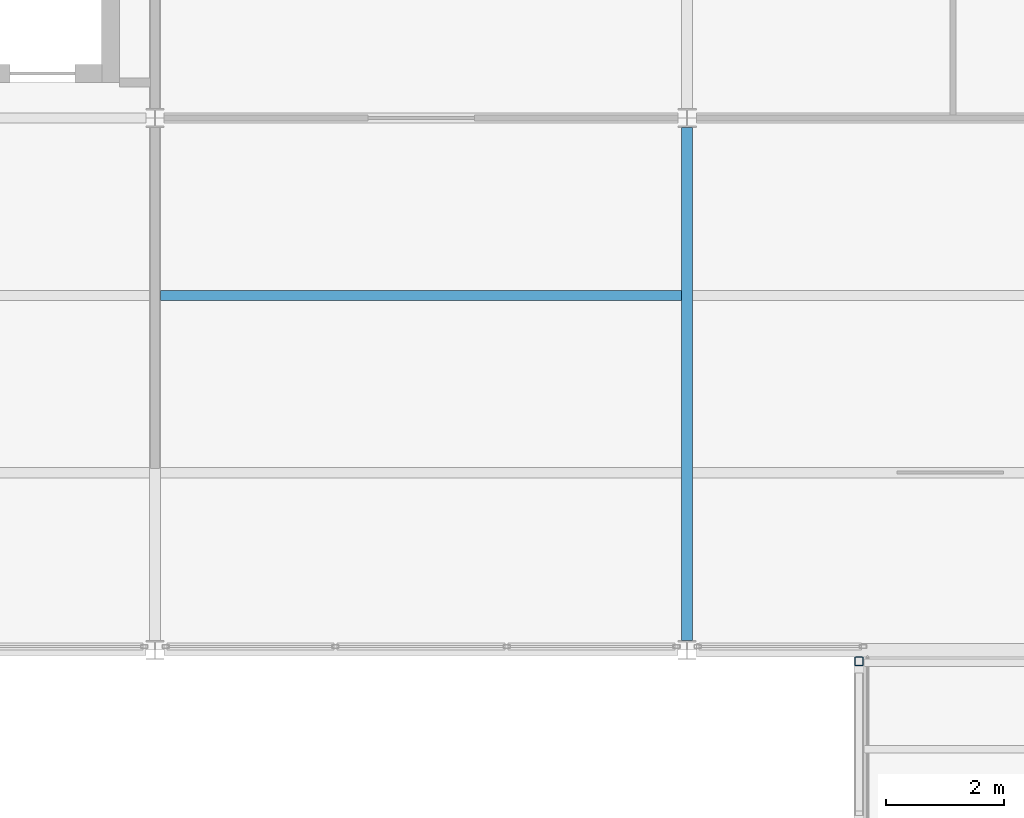
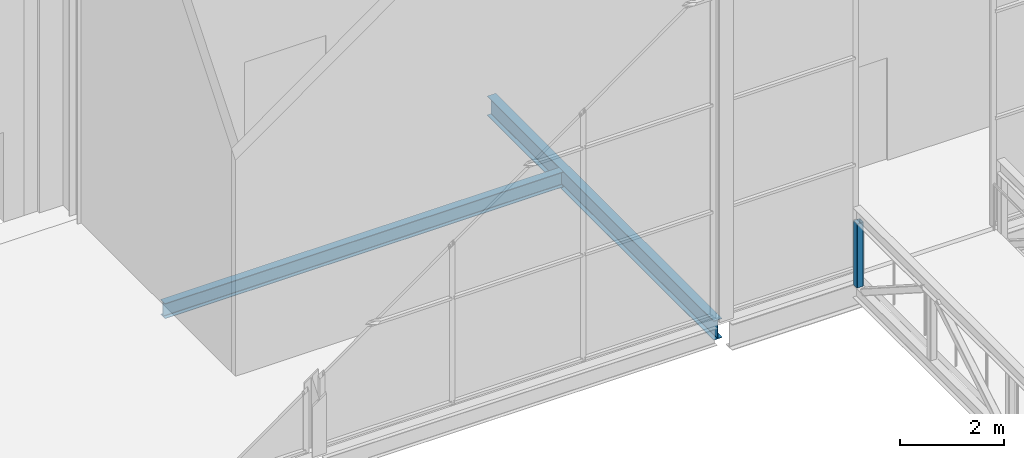
# One storey, part 47 of 111: 2 beams, 1 member.
"""IFC4 building model written with IfcOpenShell, lengths in metres."""

from ifc_helpers import new_model, si_unit, direction, frame, origin, origin_2d, place, context, subcontext, project, spatial, hollow_rectangle, i_section, extrude, material, material_profile, profile_set, type_object, element, save


model = new_model("IFC4")

# Units and contexts
model_context = context("Model", 3, precision=1e-05, world=origin(), true_north=direction((0.0, 1.0)))
body_context = subcontext(model_context, "Body", "Model", "MODEL_VIEW")
ifc_project = project(units=[si_unit("LENGTHUNIT", "METRE"), si_unit("AREAUNIT", "SQUARE_METRE"), si_unit("VOLUMEUNIT", "CUBIC_METRE"), si_unit("PLANEANGLEUNIT", "RADIAN"), si_unit("MASSUNIT", "GRAM", prefix="KILO")], contexts=[model_context])

# Site, building, storey
site_placement = place(None, origin())
site = spatial("IfcSite", under=ifc_project, at=site_placement, CompositionType="ELEMENT")
building_placement = place(site_placement, origin())
building = spatial("IfcBuilding", under=site, at=building_placement, Name="Shorebreak Coast Museum", CompositionType="ELEMENT")
storey_placement = place(building_placement, frame((0.0, 0.0, 16.0)))
storey = spatial("IfcBuildingStorey", under=building, at=storey_placement, Name="L03", CompositionType="ELEMENT", Elevation=16.0)

# Member
ifc_material_1 = material(Name="Steel Grade C450L0", Category="steel")
ifc_material_profile_1 = material_profile(ifc_material_1, hollow_rectangle(XDim=0.14990234375, YDim=0.14990234375, WallThickness=0.009033203125, InnerFilletRadius=0.013427734375, OuterFilletRadius=0.0224609375, at=origin_2d()), Name="150x150x9.0 SHS")
ifc_profile_set_1 = profile_set([ifc_material_profile_1], Name="Steel Grade C450L0")
member_type = type_object("IfcMemberType", Name="Atrium bridge truss strut 150x150x9.0 SHS", PredefinedType="STRUT", material=ifc_profile_set_1)
member_placement = place(storey_placement, frame((83.906982421875, 80.810546875, -0.175048828125), z_axis=(0.0, 0.0, 1.0), x_axis=(1.0, 0.0, 0.0)))
element("IfcMember", 1, at=member_placement, inside=storey, type_object=member_type, Name="Atrium bridge truss BR2 side B strut V07", PredefinedType="STRUT", context=body_context, shape_type="SweptSolid", body=[
    extrude(hollow_rectangle(XDim=0.14990234375, YDim=0.14990234375, WallThickness=0.009033203125, InnerFilletRadius=0.013427734375, OuterFilletRadius=0.0224609375, at=origin_2d()), origin(), (0.0, 0.0, 1.0), 1.492919921875),
])

# Beams
ifc_material_2 = material(Name="Steel Grade 300", Category="steel")
ifc_material_profile_2 = material_profile(ifc_material_2, i_section(OverallWidth=0.18994140625, OverallDepth=0.453857421875, WebThickness=0.008544921875, FlangeThickness=0.0126953125, FilletRadius=0.011474609375, at=origin_2d()), Name="460UB67.1")
ifc_profile_set_2 = profile_set([ifc_material_profile_2], Name="Steel Grade 300")
beam_type_1 = type_object("IfcBeamType", Name="Floor girder north-south 460UB67.1", PredefinedType="BEAM", material=ifc_profile_set_2)
beam_1_placement = place(storey_placement, frame((81.0, 81.16357421875, -0.40185546875), z_axis=(0.0, 1.0, 0.0), x_axis=(-1.0, 0.0, 0.0)))
element("IfcBeam", 2, at=beam_1_placement, inside=storey, type_object=beam_type_1, Name="Floor girder north-south L03 10K", PredefinedType="BEAM", context=body_context, shape_type="SweptSolid", body=[
    extrude(i_section(OverallWidth=0.18994140625, OverallDepth=0.453857421875, WebThickness=0.008544921875, FlangeThickness=0.0126953125, FilletRadius=0.011474609375, at=origin_2d()), origin(), (0.0, 0.0, 1.0), 8.6728515625),
])
ifc_material_3 = material(Name="Steel Grade 300", Category="steel")
ifc_material_profile_3 = material_profile(ifc_material_3, i_section(OverallWidth=0.1708984375, OverallDepth=0.355712890625, WebThickness=0.00732421875, FlangeThickness=0.011474609375, FilletRadius=0.011474609375, at=origin_2d()), Name="360UB50.7")
ifc_profile_set_3 = profile_set([ifc_material_profile_3], Name="Steel Grade 300")
beam_type_2 = type_object("IfcBeamType", Name="Floor joist 360UB50.7", PredefinedType="JOIST", material=ifc_profile_set_3)
beam_2_placement = place(storey_placement, frame((72.094970703125, 87.0, -0.352783203125), z_axis=(1.0, 0.0, 0.0), x_axis=(0.0, 1.0, 0.0)))
element("IfcBeam", 3, at=beam_2_placement, inside=storey, type_object=beam_type_2, Name="Floor joist L03 bay 9K at 6000 mm", PredefinedType="JOIST", context=body_context, shape_type="SweptSolid", body=[
    extrude(i_section(OverallWidth=0.1708984375, OverallDepth=0.355712890625, WebThickness=0.00732421875, FlangeThickness=0.011474609375, FilletRadius=0.011474609375, at=origin_2d()), origin(), (0.0, 0.0, 1.0), 8.81005859375),
])

save(model, "model.ifc")
